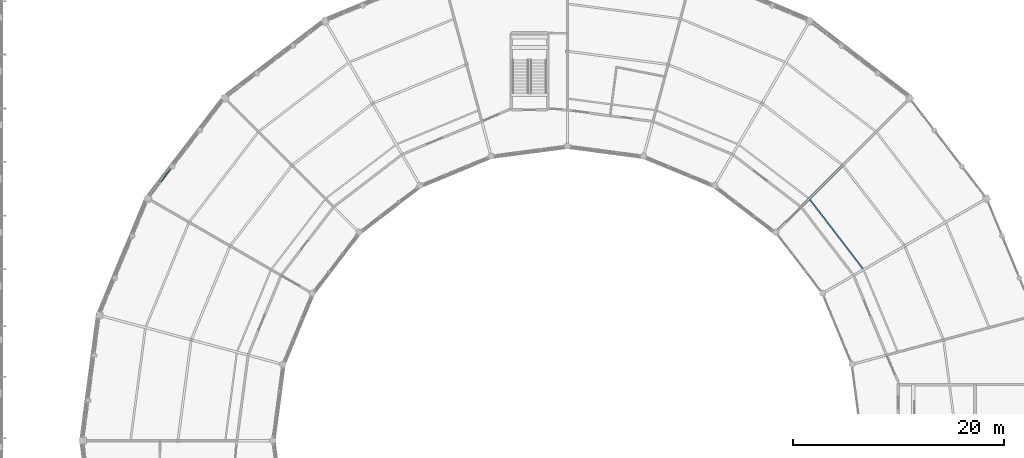
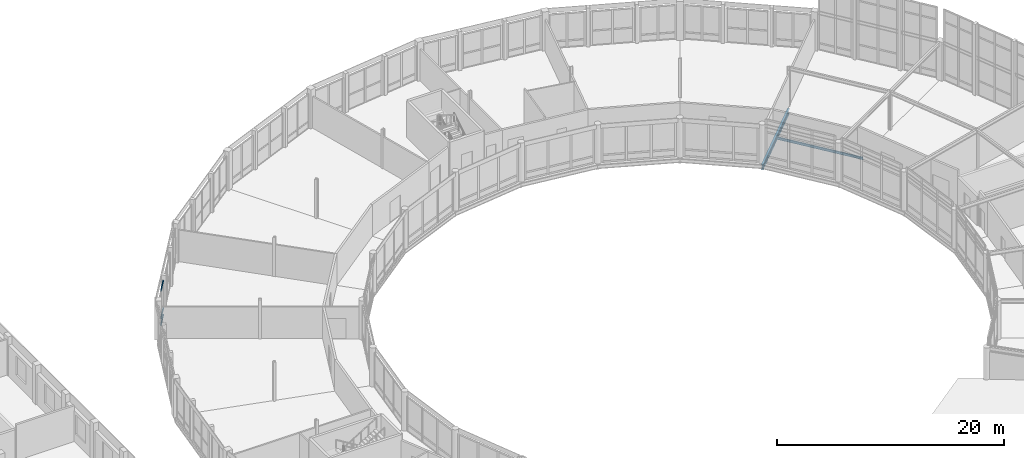
# One storey, part 80 of 185: 3 members, 2 beams, 1 element without a shape of its own.
"""IFC4 building model written with IfcOpenShell, lengths in metres."""

from ifc_helpers import new_model, si_unit, direction, frame, origin, origin_2d, place, context, subcontext, project, spatial, hollow_rectangle, i_section, extrude, material, material_profile, profile_set, type_object, element, aggregate, save


model = new_model("IFC4")

# Units and contexts
model_context = context("Model", 3, precision=1e-05, world=origin(), true_north=direction((0.0, 1.0)))
body_context = subcontext(model_context, "Body", "Model", "MODEL_VIEW")
ifc_project = project(units=[si_unit("LENGTHUNIT", "METRE"), si_unit("AREAUNIT", "SQUARE_METRE"), si_unit("VOLUMEUNIT", "CUBIC_METRE"), si_unit("PLANEANGLEUNIT", "RADIAN"), si_unit("MASSUNIT", "GRAM", prefix="KILO")], contexts=[model_context])

# Site, building, storey
site_placement = place(None, origin())
site = spatial("IfcSite", under=ifc_project, at=site_placement, CompositionType="ELEMENT")
building_placement = place(site_placement, origin())
building = spatial("IfcBuilding", under=site, at=building_placement, Name="Vondelvale Polytechnic", CompositionType="ELEMENT")
storey_placement = place(building_placement, frame((0.0, 0.0, 9.60009765625)))
storey = spatial("IfcBuildingStorey", under=building, at=storey_placement, Name="L02", CompositionType="ELEMENT", Elevation=9.60009765625)

# Beam
ifc_material_1 = material(Name="Steel 300PLUS (fy = 300 MPa)", Category="steel")
ifc_material_profile_1 = material_profile(ifc_material_1, i_section(OverallWidth=0.208984375, OverallDepth=0.528076171875, WebThickness=0.009521484375, FlangeThickness=0.01318359375, FilletRadius=0.013916015625, at=origin_2d()), Name="530UB82.0")
ifc_profile_set_1 = profile_set([ifc_material_profile_1], Name="Steel 300PLUS (fy = 300 MPa)")
beam_type_1 = type_object("IfcBeamType", Name="BM-UB530L", PredefinedType="BEAM", material=ifc_profile_set_1)
beam_1_placement = place(storey_placement, frame((121.799072265625, 91.799072265625, -0.544189453125), z_axis=(0.707106781187, 0.707106781187, 0.0), x_axis=(-0.707106781187, 0.707106781187, 0.0)))
element("IfcBeam", 1, at=beam_1_placement, inside=storey, type_object=beam_type_1, Name="L02 RG B-21", PredefinedType="BEAM", context=body_context, shape_type="SweptSolid", body=[
    extrude(i_section(OverallWidth=0.208984375, OverallDepth=0.528076171875, WebThickness=0.009521484375, FlangeThickness=0.01318359375, FilletRadius=0.013916015625, at=origin_2d()), origin(), (0.0, 0.0, 1.0), 9.0),
])

# Curtain wall, members
ifc_material_2 = material(Name="Glulam GL18 structural Tasmanian oak (fb = 42 MPa)", Category="wood")
curtain_wall_type = type_object("IfcCurtainWallType", Name="CW-RING-OUTER", PredefinedType="NOTDEFINED", material=ifc_material_2)
curtain_wall_placement = place(storey_placement, origin())
curtain_wall = element("IfcCurtainWall", 2, at=curtain_wall_placement, inside=storey, type_object=curtain_wall_type, Name="L02 architectural curtain wall CW-04-220", PredefinedType="NOTDEFINED")
ifc_material_3 = material(Name="Anodised extruded aluminium 6063-T6", Category="aluminium")
ifc_material_profile_2 = material_profile(ifc_material_3, hollow_rectangle(XDim=0.06005859375, YDim=0.139892578125, WallThickness=0.00341796875, at=origin_2d()), Name="CW-TRN-140x60")
ifc_profile_set_2 = profile_set([ifc_material_profile_2], Name="Anodised extruded aluminium 6063-T6")
member_type = type_object("IfcMemberType", Name="CW-TRN-60x140", PredefinedType="USERDEFINED", material=ifc_profile_set_2)
member_1_placement = place(storey_placement, frame((64.307373046875, 97.794677734375, 0.02978515625), z_axis=(-0.60882345649, -0.793305741078, 0.0), x_axis=(0.793305741078, -0.60882345649, 0.0)))
member_1 = element("IfcMember", 3, at=member_1_placement, type_object=member_type, Name="CW-04-220 transom 1.1", ObjectType="TRANSOM", PredefinedType="USERDEFINED", context=body_context, shape_type="SweptSolid", body=[
    extrude(hollow_rectangle(XDim=0.06005859375, YDim=0.139892578125, WallThickness=0.00341796875, at=origin_2d()), origin(), (0.0, 0.0, 1.0), 1.52978515625),
])
member_2_placement = place(storey_placement, frame((64.307373046875, 97.794677734375, 0.75), z_axis=(-0.60882345649, -0.793305741078, 0.0), x_axis=(0.793305741078, -0.60882345649, 0.0)))
member_2 = element("IfcMember", 4, at=member_2_placement, type_object=member_type, Name="CW-04-220 transom 1.2", ObjectType="TRANSOM", PredefinedType="USERDEFINED", context=body_context, shape_type="SweptSolid", body=[
    extrude(hollow_rectangle(XDim=0.06005859375, YDim=0.139892578125, WallThickness=0.00341796875, at=origin_2d()), origin(), (0.0, 0.0, 1.0), 1.52978515625),
])
member_3_placement = place(storey_placement, frame((64.307373046875, 97.794677734375, 3.68994140625), z_axis=(-0.60882345649, -0.793305741078, 0.0), x_axis=(0.793305741078, -0.60882345649, 0.0)))
member_3 = element("IfcMember", 5, at=member_3_placement, type_object=member_type, Name="CW-04-220 transom 1.3", ObjectType="TRANSOM", PredefinedType="USERDEFINED", context=body_context, shape_type="SweptSolid", body=[
    extrude(hollow_rectangle(XDim=0.06005859375, YDim=0.139892578125, WallThickness=0.00341796875, at=origin_2d()), origin(), (0.0, 0.0, 1.0), 1.52978515625),
])
aggregate(curtain_wall, [member_1, member_2, member_3])

# Beam
ifc_material_profile_3 = material_profile(ifc_material_1, i_section(OverallWidth=0.1240234375, OverallDepth=0.248046875, WebThickness=0.0048828125, FlangeThickness=0.008056640625, FilletRadius=0.0087890625, at=origin_2d()), Name="250UB25.7")
ifc_profile_set_3 = profile_set([ifc_material_profile_3], Name="Steel 300PLUS (fy = 300 MPa)")
beam_type_2 = type_object("IfcBeamType", Name="JST-UB250L", PredefinedType="JOIST", material=ifc_profile_set_3)
beam_2_placement = place(storey_placement, frame((130.078857421875, 88.33740234375, -0.404052734375), z_axis=(-0.608750899721, 0.793361419587, 0.0), x_axis=(-0.793361419587, -0.608750899721, 0.0)))
element("IfcBeam", 6, at=beam_2_placement, inside=storey, type_object=beam_type_2, Name="L02 RJ J-08", PredefinedType="JOIST", context=body_context, shape_type="SweptSolid", body=[
    extrude(i_section(OverallWidth=0.1240234375, OverallDepth=0.248046875, WebThickness=0.0048828125, FlangeThickness=0.008056640625, FilletRadius=0.0087890625, at=origin_2d()), origin(), (0.0, 0.0, 1.0), 8.26416015625),
])

save(model, "model.ifc")
